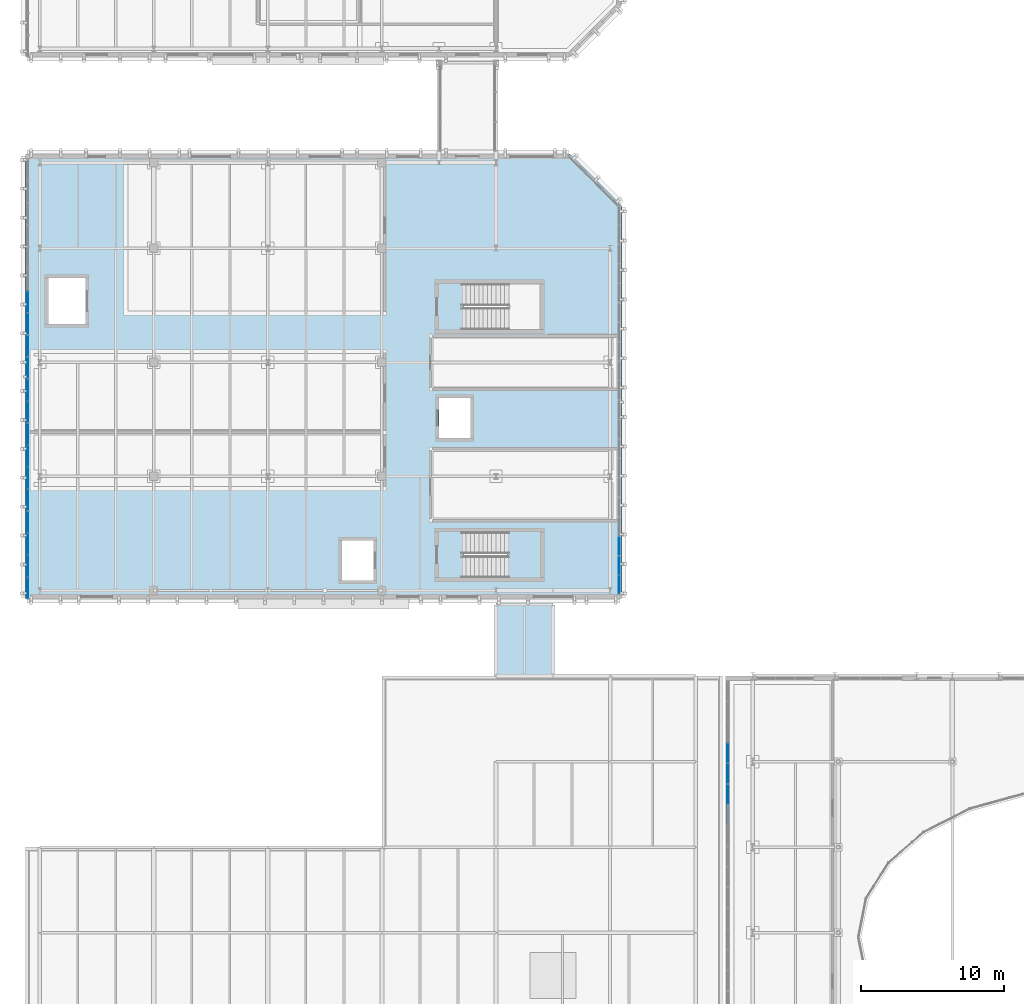
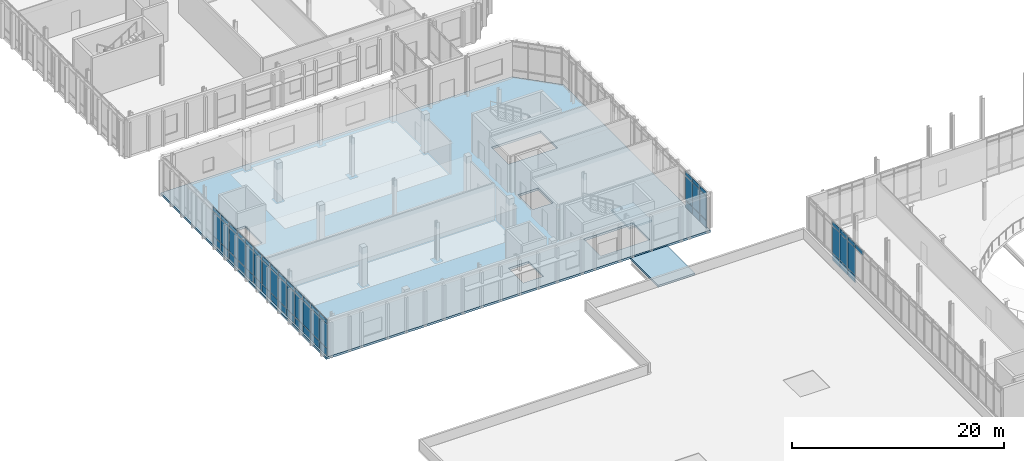
# One storey, part 45 of 86: 61 plates, 3 slabs, 8 elements without a shape of their own.
"""IFC4 building model written with IfcOpenShell, lengths in metres."""

from ifc_helpers import new_model, si_unit, direction, frame, origin, origin_2d, place, context, subcontext, project, spatial, polyline, rectangle, outline, extrude, material, layer, layer_set, type_object, element, aggregate, save


model = new_model("IFC4")

# Units and contexts
model_context = context("Model", 3, precision=1e-05, world=origin(), true_north=direction((0.0, 1.0)))
body_context = subcontext(model_context, "Body", "Model", "MODEL_VIEW")
ifc_project = project(units=[si_unit("LENGTHUNIT", "METRE"), si_unit("AREAUNIT", "SQUARE_METRE"), si_unit("VOLUMEUNIT", "CUBIC_METRE"), si_unit("PLANEANGLEUNIT", "RADIAN"), si_unit("MASSUNIT", "GRAM", prefix="KILO")], contexts=[model_context])

# Site, building, storey
site_placement = place(None, origin())
site = spatial("IfcSite", under=ifc_project, at=site_placement, CompositionType="ELEMENT")
building_placement = place(site_placement, origin())
building = spatial("IfcBuilding", under=site, at=building_placement, Name="Cymarion Research Institute", CompositionType="ELEMENT")
storey_placement = place(building_placement, frame((0.0, 0.0, 13.800048828125)))
storey = spatial("IfcBuildingStorey", under=building, at=storey_placement, Name="L03", CompositionType="ELEMENT", Elevation=13.800048828125)

# Slab
ifc_material_1 = material(Name="Concrete C35/45", Category="concrete")
ifc_layer_1 = layer(ifc_material_1, 0.25)
ifc_layer_set_1 = layer_set([ifc_layer_1], Name="Concrete C35/45")
slab_type_1 = type_object("IfcSlabType", Name="COMPOSITE FLOOR SLAB SL-FL250 250MM", PredefinedType="FLOOR", material=ifc_layer_set_1)
slab_1_placement = place(storey_placement, frame((0.0, 0.0, -0.25)))
element("IfcSlab", 1, at=slab_1_placement, inside=storey, type_object=slab_type_1, Name="L03 V4 floor slab", PredefinedType="FLOOR", context=body_context, shape_type="SweptSolid", body=[
    extrude(outline(polyline([(5.60009765625, 46.89990234375), (47.39990234375, 46.89990234375), (47.39990234375, 74.5), (43.800048828125, 78.10009765625), (5.60009765625, 78.10009765625), (5.60009765625, 46.89990234375)]), holes=[polyline([(36.340087890625, 48.39990234375), (41.699951171875, 48.39990234375), (41.699951171875, 51.60009765625), (36.340087890625, 51.60009765625), (36.340087890625, 48.39990234375)]), polyline([(27.800048828125, 48.199951171875), (30.0, 48.199951171875), (30.0, 51.0), (27.800048828125, 51.0), (27.800048828125, 48.199951171875)]), polyline([(36.340087890625, 65.800048828125), (41.699951171875, 65.800048828125), (41.699951171875, 69.0), (36.340087890625, 69.0), (36.340087890625, 65.800048828125)]), polyline([(34.60009765625, 58.199951171875), (36.800048828125, 58.199951171875), (36.800048828125, 61.0), (34.60009765625, 61.0), (34.60009765625, 58.199951171875)]), polyline([(7.199951171875, 66.199951171875), (9.800048828125, 66.199951171875), (9.800048828125, 69.39990234375), (7.199951171875, 69.39990234375), (7.199951171875, 66.199951171875)])]), origin(), (0.0, 0.0, 1.0), 0.25),
])

# Curtain wall, plates
ifc_material_2 = material(Name="Anodised aluminium unitised curtain wall with Low-E glazing", Category="aluminium")
curtain_wall_type_1 = type_object("IfcCurtainWallType", Name="UNITISED CURTAIN WALL CW34 7260X4620", PredefinedType="NOTDEFINED", material=ifc_material_2)
curtain_wall_1_placement = place(storey_placement, origin())
curtain_wall_1 = element("IfcCurtainWall", 2, at=curtain_wall_1_placement, inside=storey, type_object=curtain_wall_type_1, Name="L03 V2 unitised curtain wall CW34 #147", PredefinedType="NOTDEFINED")
ifc_material_3 = material(Name="Insulated anodised aluminium spandrel panel", Category="aluminium")
ifc_layer_2 = layer(ifc_material_3, 0.06005859375)
ifc_layer_set_2 = layer_set([ifc_layer_2], Name="Insulated anodised aluminium spandrel panel")
plate_type_1 = type_object("IfcPlateType", Name="INSULATED ALUMINIUM SPANDREL PANEL SP01 60MM", PredefinedType="SHEET", material=ifc_layer_set_2)
plate_1_placement = place(storey_placement, frame((54.860107421875, 36.100830078125, 0.059814453125), z_axis=(0.0, 0.0, 1.0), x_axis=(0.0, -1.0, 0.0)))
plate_1 = element("IfcPlate", 3, at=plate_1_placement, type_object=plate_type_1, Name="CW34 panel 4.1", PredefinedType="SHEET", context=body_context, shape_type="SweptSolid", body=[
    extrude(rectangle(XDim=1.39111328125, YDim=0.06005859375, at=origin_2d()), origin(), (0.0, 0.0, 1.0), 0.81005859375),
])
plate_2_placement = place(storey_placement, frame((54.860107421875, 36.100830078125, 4.099853515625), z_axis=(0.0, 0.0, 1.0), x_axis=(0.0, -1.0, 0.0)))
plate_2 = element("IfcPlate", 4, at=plate_2_placement, type_object=plate_type_1, Name="CW34 panel 4.3", PredefinedType="SHEET", context=body_context, shape_type="SweptSolid", body=[
    extrude(rectangle(XDim=1.39111328125, YDim=0.06005859375, at=origin_2d()), origin(), (0.0, 0.0, 1.0), 0.4599609375),
])
plate_3_placement = place(storey_placement, frame((54.860107421875, 34.66455078125, 0.059814453125), z_axis=(0.0, 0.0, 1.0), x_axis=(0.0, -1.0, 0.0)))
plate_3 = element("IfcPlate", 5, at=plate_3_placement, type_object=plate_type_1, Name="CW34 panel 5.1", PredefinedType="SHEET", context=body_context, shape_type="SweptSolid", body=[
    extrude(rectangle(XDim=1.361083984375, YDim=0.06005859375, at=origin_2d()), origin(), (0.0, 0.0, 1.0), 0.81005859375),
])
plate_4_placement = place(storey_placement, frame((54.860107421875, 34.66455078125, 4.099853515625), z_axis=(0.0, 0.0, 1.0), x_axis=(0.0, -1.0, 0.0)))
plate_4 = element("IfcPlate", 6, at=plate_4_placement, type_object=plate_type_1, Name="CW34 panel 5.3", PredefinedType="SHEET", context=body_context, shape_type="SweptSolid", body=[
    extrude(rectangle(XDim=1.361083984375, YDim=0.06005859375, at=origin_2d()), origin(), (0.0, 0.0, 1.0), 0.4599609375),
])

curtain_wall_2_placement = place(storey_placement, origin())
curtain_wall_2 = element("IfcCurtainWall", 7, at=curtain_wall_2_placement, inside=storey, type_object=curtain_wall_type_1, Name="L03 V2 unitised curtain wall CW34 #148", PredefinedType="NOTDEFINED")
plate_5_placement = place(storey_placement, frame((54.860107421875, 33.183349609375, 0.059814453125), z_axis=(0.0, 0.0, 1.0), x_axis=(0.0, -1.0, 0.0)))
plate_5 = element("IfcPlate", 8, at=plate_5_placement, type_object=plate_type_1, Name="CW34 panel 1.1", PredefinedType="SHEET", context=body_context, shape_type="SweptSolid", body=[
    extrude(rectangle(XDim=1.361083984375, YDim=0.06005859375, at=origin_2d()), origin(), (0.0, 0.0, 1.0), 0.81005859375),
])
plate_6_placement = place(storey_placement, frame((54.860107421875, 33.183349609375, 4.099853515625), z_axis=(0.0, 0.0, 1.0), x_axis=(0.0, -1.0, 0.0)))
plate_6 = element("IfcPlate", 9, at=plate_6_placement, type_object=plate_type_1, Name="CW34 panel 1.3", PredefinedType="SHEET", context=body_context, shape_type="SweptSolid", body=[
    extrude(rectangle(XDim=1.361083984375, YDim=0.06005859375, at=origin_2d()), origin(), (0.0, 0.0, 1.0), 0.4599609375),
])
plate_7_placement = place(storey_placement, frame((54.860107421875, 31.747314453125, 4.099853515625), z_axis=(0.0, 0.0, 1.0), x_axis=(0.0, -1.0, 0.0)))
plate_7 = element("IfcPlate", 10, at=plate_7_placement, type_object=plate_type_1, Name="CW34 panel 2.3", PredefinedType="SHEET", context=body_context, shape_type="SweptSolid", body=[
    extrude(rectangle(XDim=1.39111328125, YDim=0.06005859375, at=origin_2d()), origin(), (0.0, 0.0, 1.0), 0.4599609375),
])

curtain_wall_type_2 = type_object("IfcCurtainWallType", Name="UNITISED CURTAIN WALL CW20 6820X4250", PredefinedType="NOTDEFINED", material=ifc_material_2)
curtain_wall_3_placement = place(storey_placement, origin())
curtain_wall_3 = element("IfcCurtainWall", 11, at=curtain_wall_3_placement, inside=storey, type_object=curtain_wall_type_2, Name="L03 V4 unitised curtain wall CW20 #152", PredefinedType="NOTDEFINED")
plate_8_placement = place(storey_placement, frame((47.22998046875, 47.9189453125, 0.059814453125), z_axis=(0.0, 0.0, 1.0), x_axis=(0.0, 1.0, 0.0)))
plate_8 = element("IfcPlate", 12, at=plate_8_placement, type_object=plate_type_1, Name="CW20 panel 1.1", PredefinedType="SHEET", context=body_context, shape_type="SweptSolid", body=[
    extrude(rectangle(XDim=1.27392578125, YDim=0.06005859375, at=origin_2d()), origin(), (0.0, 0.0, 1.0), 0.81005859375),
])
plate_9_placement = place(storey_placement, frame((47.22998046875, 47.9189453125, 3.72998046875), z_axis=(0.0, 0.0, 1.0), x_axis=(0.0, 1.0, 0.0)))
plate_9 = element("IfcPlate", 13, at=plate_9_placement, type_object=plate_type_1, Name="CW20 panel 1.3", PredefinedType="SHEET", context=body_context, shape_type="SweptSolid", body=[
    extrude(rectangle(XDim=1.27392578125, YDim=0.06005859375, at=origin_2d()), origin(), (0.0, 0.0, 1.0), 0.4599609375),
])
plate_10_placement = place(storey_placement, frame((47.22998046875, 49.267822265625, 0.059814453125), z_axis=(0.0, 0.0, 1.0), x_axis=(0.0, 1.0, 0.0)))
plate_10 = element("IfcPlate", 14, at=plate_10_placement, type_object=plate_type_1, Name="CW20 panel 2.1", PredefinedType="SHEET", context=body_context, shape_type="SweptSolid", body=[
    extrude(rectangle(XDim=1.303955078125, YDim=0.06005859375, at=origin_2d()), origin(), (0.0, 0.0, 1.0), 0.81005859375),
])
plate_11_placement = place(storey_placement, frame((47.22998046875, 49.267822265625, 3.72998046875), z_axis=(0.0, 0.0, 1.0), x_axis=(0.0, 1.0, 0.0)))
plate_11 = element("IfcPlate", 15, at=plate_11_placement, type_object=plate_type_1, Name="CW20 panel 2.3", PredefinedType="SHEET", context=body_context, shape_type="SweptSolid", body=[
    extrude(rectangle(XDim=1.303955078125, YDim=0.06005859375, at=origin_2d()), origin(), (0.0, 0.0, 1.0), 0.4599609375),
])
plate_12_placement = place(storey_placement, frame((47.22998046875, 50.6318359375, 0.059814453125), z_axis=(0.0, 0.0, 1.0), x_axis=(0.0, 1.0, 0.0)))
plate_12 = element("IfcPlate", 16, at=plate_12_placement, type_object=plate_type_1, Name="CW20 panel 3.1", PredefinedType="SHEET", context=body_context, shape_type="SweptSolid", body=[
    extrude(rectangle(XDim=1.303955078125, YDim=0.06005859375, at=origin_2d()), origin(), (0.0, 0.0, 1.0), 0.81005859375),
])
plate_13_placement = place(storey_placement, frame((47.22998046875, 50.6318359375, 3.72998046875), z_axis=(0.0, 0.0, 1.0), x_axis=(0.0, 1.0, 0.0)))
plate_13 = element("IfcPlate", 17, at=plate_13_placement, type_object=plate_type_1, Name="CW20 panel 3.3", PredefinedType="SHEET", context=body_context, shape_type="SweptSolid", body=[
    extrude(rectangle(XDim=1.303955078125, YDim=0.06005859375, at=origin_2d()), origin(), (0.0, 0.0, 1.0), 0.4599609375),
])

curtain_wall_type_3 = type_object("IfcCurtainWallType", Name="UNITISED CURTAIN WALL CW22 6180X4250", PredefinedType="NOTDEFINED", material=ifc_material_2)
curtain_wall_4_placement = place(storey_placement, origin())
curtain_wall_4 = element("IfcCurtainWall", 18, at=curtain_wall_4_placement, inside=storey, type_object=curtain_wall_type_3, Name="L03 V4 unitised curtain wall CW22 #158", PredefinedType="NOTDEFINED")
plate_14_placement = place(storey_placement, frame((5.77001953125, 67.74267578125, 0.059814453125), z_axis=(0.0, 0.0, 1.0), x_axis=(0.0, -1.0, 0.0)))
plate_14 = element("IfcPlate", 19, at=plate_14_placement, type_object=plate_type_1, Name="CW22 panel 3.1", PredefinedType="SHEET", context=body_context, shape_type="SweptSolid", body=[
    extrude(rectangle(XDim=1.48388671875, YDim=0.06005859375, at=origin_2d()), origin(), (0.0, 0.0, 1.0), 0.81005859375),
])
plate_15_placement = place(storey_placement, frame((5.77001953125, 67.74267578125, 3.72998046875), z_axis=(0.0, 0.0, 1.0), x_axis=(0.0, -1.0, 0.0)))
plate_15 = element("IfcPlate", 20, at=plate_15_placement, type_object=plate_type_1, Name="CW22 panel 3.3", PredefinedType="SHEET", context=body_context, shape_type="SweptSolid", body=[
    extrude(rectangle(XDim=1.48388671875, YDim=0.06005859375, at=origin_2d()), origin(), (0.0, 0.0, 1.0), 0.4599609375),
])
plate_16_placement = place(storey_placement, frame((5.77001953125, 66.2138671875, 0.059814453125), z_axis=(0.0, 0.0, 1.0), x_axis=(0.0, -1.0, 0.0)))
plate_16 = element("IfcPlate", 21, at=plate_16_placement, type_object=plate_type_1, Name="CW22 panel 4.1", PredefinedType="SHEET", context=body_context, shape_type="SweptSolid", body=[
    extrude(rectangle(XDim=1.453857421875, YDim=0.06005859375, at=origin_2d()), origin(), (0.0, 0.0, 1.0), 0.81005859375),
])
plate_17_placement = place(storey_placement, frame((5.77001953125, 66.2138671875, 3.72998046875), z_axis=(0.0, 0.0, 1.0), x_axis=(0.0, -1.0, 0.0)))
plate_17 = element("IfcPlate", 22, at=plate_17_placement, type_object=plate_type_1, Name="CW22 panel 4.3", PredefinedType="SHEET", context=body_context, shape_type="SweptSolid", body=[
    extrude(rectangle(XDim=1.453857421875, YDim=0.06005859375, at=origin_2d()), origin(), (0.0, 0.0, 1.0), 0.4599609375),
])

curtain_wall_5_placement = place(storey_placement, origin())
curtain_wall_5 = element("IfcCurtainWall", 23, at=curtain_wall_5_placement, inside=storey, type_object=curtain_wall_type_3, Name="L03 V4 unitised curtain wall CW22 #159", PredefinedType="NOTDEFINED")
plate_18_placement = place(storey_placement, frame((5.77001953125, 64.639892578125, 0.059814453125), z_axis=(0.0, 0.0, 1.0), x_axis=(0.0, -1.0, 0.0)))
plate_18 = element("IfcPlate", 24, at=plate_18_placement, type_object=plate_type_1, Name="CW22 panel 1.1", PredefinedType="SHEET", context=body_context, shape_type="SweptSolid", body=[
    extrude(rectangle(XDim=1.453857421875, YDim=0.06005859375, at=origin_2d()), origin(), (0.0, 0.0, 1.0), 0.81005859375),
])
plate_19_placement = place(storey_placement, frame((5.77001953125, 64.639892578125, 3.72998046875), z_axis=(0.0, 0.0, 1.0), x_axis=(0.0, -1.0, 0.0)))
plate_19 = element("IfcPlate", 25, at=plate_19_placement, type_object=plate_type_1, Name="CW22 panel 1.3", PredefinedType="SHEET", context=body_context, shape_type="SweptSolid", body=[
    extrude(rectangle(XDim=1.453857421875, YDim=0.06005859375, at=origin_2d()), origin(), (0.0, 0.0, 1.0), 0.4599609375),
])
plate_20_placement = place(storey_placement, frame((5.77001953125, 63.11083984375, 0.059814453125), z_axis=(0.0, 0.0, 1.0), x_axis=(0.0, -1.0, 0.0)))
plate_20 = element("IfcPlate", 26, at=plate_20_placement, type_object=plate_type_1, Name="CW22 panel 2.1", PredefinedType="SHEET", context=body_context, shape_type="SweptSolid", body=[
    extrude(rectangle(XDim=1.48388671875, YDim=0.06005859375, at=origin_2d()), origin(), (0.0, 0.0, 1.0), 0.81005859375),
])
plate_21_placement = place(storey_placement, frame((5.77001953125, 63.11083984375, 3.72998046875), z_axis=(0.0, 0.0, 1.0), x_axis=(0.0, -1.0, 0.0)))
plate_21 = element("IfcPlate", 27, at=plate_21_placement, type_object=plate_type_1, Name="CW22 panel 2.3", PredefinedType="SHEET", context=body_context, shape_type="SweptSolid", body=[
    extrude(rectangle(XDim=1.48388671875, YDim=0.06005859375, at=origin_2d()), origin(), (0.0, 0.0, 1.0), 0.4599609375),
])
plate_22_placement = place(storey_placement, frame((5.77001953125, 61.567138671875, 0.059814453125), z_axis=(0.0, 0.0, 1.0), x_axis=(0.0, -1.0, 0.0)))
plate_22 = element("IfcPlate", 28, at=plate_22_placement, type_object=plate_type_1, Name="CW22 panel 3.1", PredefinedType="SHEET", context=body_context, shape_type="SweptSolid", body=[
    extrude(rectangle(XDim=1.48388671875, YDim=0.06005859375, at=origin_2d()), origin(), (0.0, 0.0, 1.0), 0.81005859375),
])
plate_23_placement = place(storey_placement, frame((5.77001953125, 61.567138671875, 3.72998046875), z_axis=(0.0, 0.0, 1.0), x_axis=(0.0, -1.0, 0.0)))
plate_23 = element("IfcPlate", 29, at=plate_23_placement, type_object=plate_type_1, Name="CW22 panel 3.3", PredefinedType="SHEET", context=body_context, shape_type="SweptSolid", body=[
    extrude(rectangle(XDim=1.48388671875, YDim=0.06005859375, at=origin_2d()), origin(), (0.0, 0.0, 1.0), 0.4599609375),
])
plate_24_placement = place(storey_placement, frame((5.77001953125, 60.0380859375, 0.059814453125), z_axis=(0.0, 0.0, 1.0), x_axis=(0.0, -1.0, 0.0)))
plate_24 = element("IfcPlate", 30, at=plate_24_placement, type_object=plate_type_1, Name="CW22 panel 4.1", PredefinedType="SHEET", context=body_context, shape_type="SweptSolid", body=[
    extrude(rectangle(XDim=1.453857421875, YDim=0.06005859375, at=origin_2d()), origin(), (0.0, 0.0, 1.0), 0.81005859375),
])
plate_25_placement = place(storey_placement, frame((5.77001953125, 60.0380859375, 3.72998046875), z_axis=(0.0, 0.0, 1.0), x_axis=(0.0, -1.0, 0.0)))
plate_25 = element("IfcPlate", 31, at=plate_25_placement, type_object=plate_type_1, Name="CW22 panel 4.3", PredefinedType="SHEET", context=body_context, shape_type="SweptSolid", body=[
    extrude(rectangle(XDim=1.453857421875, YDim=0.06005859375, at=origin_2d()), origin(), (0.0, 0.0, 1.0), 0.4599609375),
])

curtain_wall_6_placement = place(storey_placement, origin())
curtain_wall_6 = element("IfcCurtainWall", 32, at=curtain_wall_6_placement, inside=storey, type_object=curtain_wall_type_3, Name="L03 V4 unitised curtain wall CW22 #160", PredefinedType="NOTDEFINED")
plate_26_placement = place(storey_placement, frame((5.77001953125, 58.46435546875, 0.059814453125), z_axis=(0.0, 0.0, 1.0), x_axis=(0.0, -1.0, 0.0)))
plate_26 = element("IfcPlate", 33, at=plate_26_placement, type_object=plate_type_1, Name="CW22 panel 1.1", PredefinedType="SHEET", context=body_context, shape_type="SweptSolid", body=[
    extrude(rectangle(XDim=1.453857421875, YDim=0.06005859375, at=origin_2d()), origin(), (0.0, 0.0, 1.0), 0.81005859375),
])
plate_27_placement = place(storey_placement, frame((5.77001953125, 58.46435546875, 3.72998046875), z_axis=(0.0, 0.0, 1.0), x_axis=(0.0, -1.0, 0.0)))
plate_27 = element("IfcPlate", 34, at=plate_27_placement, type_object=plate_type_1, Name="CW22 panel 1.3", PredefinedType="SHEET", context=body_context, shape_type="SweptSolid", body=[
    extrude(rectangle(XDim=1.453857421875, YDim=0.06005859375, at=origin_2d()), origin(), (0.0, 0.0, 1.0), 0.4599609375),
])
plate_28_placement = place(storey_placement, frame((5.77001953125, 56.935302734375, 0.059814453125), z_axis=(0.0, 0.0, 1.0), x_axis=(0.0, -1.0, 0.0)))
plate_28 = element("IfcPlate", 35, at=plate_28_placement, type_object=plate_type_1, Name="CW22 panel 2.1", PredefinedType="SHEET", context=body_context, shape_type="SweptSolid", body=[
    extrude(rectangle(XDim=1.48388671875, YDim=0.06005859375, at=origin_2d()), origin(), (0.0, 0.0, 1.0), 0.81005859375),
])
plate_29_placement = place(storey_placement, frame((5.77001953125, 56.935302734375, 3.72998046875), z_axis=(0.0, 0.0, 1.0), x_axis=(0.0, -1.0, 0.0)))
plate_29 = element("IfcPlate", 36, at=plate_29_placement, type_object=plate_type_1, Name="CW22 panel 2.3", PredefinedType="SHEET", context=body_context, shape_type="SweptSolid", body=[
    extrude(rectangle(XDim=1.48388671875, YDim=0.06005859375, at=origin_2d()), origin(), (0.0, 0.0, 1.0), 0.4599609375),
])
plate_30_placement = place(storey_placement, frame((5.77001953125, 55.391357421875, 0.059814453125), z_axis=(0.0, 0.0, 1.0), x_axis=(0.0, -1.0, 0.0)))
plate_30 = element("IfcPlate", 37, at=plate_30_placement, type_object=plate_type_1, Name="CW22 panel 3.1", PredefinedType="SHEET", context=body_context, shape_type="SweptSolid", body=[
    extrude(rectangle(XDim=1.48388671875, YDim=0.06005859375, at=origin_2d()), origin(), (0.0, 0.0, 1.0), 0.81005859375),
])
plate_31_placement = place(storey_placement, frame((5.77001953125, 55.391357421875, 3.72998046875), z_axis=(0.0, 0.0, 1.0), x_axis=(0.0, -1.0, 0.0)))
plate_31 = element("IfcPlate", 38, at=plate_31_placement, type_object=plate_type_1, Name="CW22 panel 3.3", PredefinedType="SHEET", context=body_context, shape_type="SweptSolid", body=[
    extrude(rectangle(XDim=1.48388671875, YDim=0.06005859375, at=origin_2d()), origin(), (0.0, 0.0, 1.0), 0.4599609375),
])
plate_32_placement = place(storey_placement, frame((5.77001953125, 53.862548828125, 0.059814453125), z_axis=(0.0, 0.0, 1.0), x_axis=(0.0, -1.0, 0.0)))
plate_32 = element("IfcPlate", 39, at=plate_32_placement, type_object=plate_type_1, Name="CW22 panel 4.1", PredefinedType="SHEET", context=body_context, shape_type="SweptSolid", body=[
    extrude(rectangle(XDim=1.453857421875, YDim=0.06005859375, at=origin_2d()), origin(), (0.0, 0.0, 1.0), 0.81005859375),
])
plate_33_placement = place(storey_placement, frame((5.77001953125, 53.862548828125, 3.72998046875), z_axis=(0.0, 0.0, 1.0), x_axis=(0.0, -1.0, 0.0)))
plate_33 = element("IfcPlate", 40, at=plate_33_placement, type_object=plate_type_1, Name="CW22 panel 4.3", PredefinedType="SHEET", context=body_context, shape_type="SweptSolid", body=[
    extrude(rectangle(XDim=1.453857421875, YDim=0.06005859375, at=origin_2d()), origin(), (0.0, 0.0, 1.0), 0.4599609375),
])

curtain_wall_7_placement = place(storey_placement, origin())
curtain_wall_7 = element("IfcCurtainWall", 41, at=curtain_wall_7_placement, inside=storey, type_object=curtain_wall_type_3, Name="L03 V4 unitised curtain wall CW22 #161", PredefinedType="NOTDEFINED")
plate_34_placement = place(storey_placement, frame((5.77001953125, 52.28857421875, 0.059814453125), z_axis=(0.0, 0.0, 1.0), x_axis=(0.0, -1.0, 0.0)))
plate_34 = element("IfcPlate", 42, at=plate_34_placement, type_object=plate_type_1, Name="CW22 panel 1.1", PredefinedType="SHEET", context=body_context, shape_type="SweptSolid", body=[
    extrude(rectangle(XDim=1.453857421875, YDim=0.06005859375, at=origin_2d()), origin(), (0.0, 0.0, 1.0), 0.81005859375),
])
plate_35_placement = place(storey_placement, frame((5.77001953125, 52.28857421875, 3.72998046875), z_axis=(0.0, 0.0, 1.0), x_axis=(0.0, -1.0, 0.0)))
plate_35 = element("IfcPlate", 43, at=plate_35_placement, type_object=plate_type_1, Name="CW22 panel 1.3", PredefinedType="SHEET", context=body_context, shape_type="SweptSolid", body=[
    extrude(rectangle(XDim=1.453857421875, YDim=0.06005859375, at=origin_2d()), origin(), (0.0, 0.0, 1.0), 0.4599609375),
])
plate_36_placement = place(storey_placement, frame((5.77001953125, 50.759765625, 0.059814453125), z_axis=(0.0, 0.0, 1.0), x_axis=(0.0, -1.0, 0.0)))
plate_36 = element("IfcPlate", 44, at=plate_36_placement, type_object=plate_type_1, Name="CW22 panel 2.1", PredefinedType="SHEET", context=body_context, shape_type="SweptSolid", body=[
    extrude(rectangle(XDim=1.48388671875, YDim=0.06005859375, at=origin_2d()), origin(), (0.0, 0.0, 1.0), 0.81005859375),
])
plate_37_placement = place(storey_placement, frame((5.77001953125, 50.759765625, 3.72998046875), z_axis=(0.0, 0.0, 1.0), x_axis=(0.0, -1.0, 0.0)))
plate_37 = element("IfcPlate", 45, at=plate_37_placement, type_object=plate_type_1, Name="CW22 panel 2.3", PredefinedType="SHEET", context=body_context, shape_type="SweptSolid", body=[
    extrude(rectangle(XDim=1.48388671875, YDim=0.06005859375, at=origin_2d()), origin(), (0.0, 0.0, 1.0), 0.4599609375),
])
plate_38_placement = place(storey_placement, frame((5.77001953125, 49.2158203125, 0.059814453125), z_axis=(0.0, 0.0, 1.0), x_axis=(0.0, -1.0, 0.0)))
plate_38 = element("IfcPlate", 46, at=plate_38_placement, type_object=plate_type_1, Name="CW22 panel 3.1", PredefinedType="SHEET", context=body_context, shape_type="SweptSolid", body=[
    extrude(rectangle(XDim=1.48388671875, YDim=0.06005859375, at=origin_2d()), origin(), (0.0, 0.0, 1.0), 0.81005859375),
])
plate_39_placement = place(storey_placement, frame((5.77001953125, 49.2158203125, 3.72998046875), z_axis=(0.0, 0.0, 1.0), x_axis=(0.0, -1.0, 0.0)))
plate_39 = element("IfcPlate", 47, at=plate_39_placement, type_object=plate_type_1, Name="CW22 panel 3.3", PredefinedType="SHEET", context=body_context, shape_type="SweptSolid", body=[
    extrude(rectangle(XDim=1.48388671875, YDim=0.06005859375, at=origin_2d()), origin(), (0.0, 0.0, 1.0), 0.4599609375),
])
plate_40_placement = place(storey_placement, frame((5.77001953125, 47.68701171875, 0.059814453125), z_axis=(0.0, 0.0, 1.0), x_axis=(0.0, -1.0, 0.0)))
plate_40 = element("IfcPlate", 48, at=plate_40_placement, type_object=plate_type_1, Name="CW22 panel 4.1", PredefinedType="SHEET", context=body_context, shape_type="SweptSolid", body=[
    extrude(rectangle(XDim=1.453857421875, YDim=0.06005859375, at=origin_2d()), origin(), (0.0, 0.0, 1.0), 0.81005859375),
])
plate_41_placement = place(storey_placement, frame((5.77001953125, 47.68701171875, 3.72998046875), z_axis=(0.0, 0.0, 1.0), x_axis=(0.0, -1.0, 0.0)))
plate_41 = element("IfcPlate", 49, at=plate_41_placement, type_object=plate_type_1, Name="CW22 panel 4.3", PredefinedType="SHEET", context=body_context, shape_type="SweptSolid", body=[
    extrude(rectangle(XDim=1.453857421875, YDim=0.06005859375, at=origin_2d()), origin(), (0.0, 0.0, 1.0), 0.4599609375),
])

# Stair, slab
stair_type = type_object("IfcStairType", Name="REINFORCED CONCRETE DOGLEG STAIR STR-4500", PredefinedType="HALF_TURN_STAIR", material=ifc_material_1)
stair_placement = place(storey_placement, origin())
stair = element("IfcStair", 50, at=stair_placement, inside=storey, type_object=stair_type, Name="L03 Core C7 Smoke-Proof Exit Stair ST7", PredefinedType="HALF_TURN_STAIR")
ifc_layer_3 = layer(ifc_material_1, 0.199951171875)
ifc_layer_set_3 = layer_set([ifc_layer_3], Name="Concrete C35/45")
slab_type_2 = type_object("IfcSlabType", Name="REINFORCED CONCRETE STAIR LANDING LDG200", PredefinedType="LANDING", material=ifc_layer_set_3)
slab_2_placement = place(storey_placement, frame((0.0, 0.0, 2.050048828125)))
slab_2 = element("IfcSlab", 51, at=slab_2_placement, type_object=slab_type_2, Name="ST7 landing 1", PredefinedType="LANDING", context=body_context, shape_type="SweptSolid", body=[
    extrude(outline(polyline([(39.3798828125, 48.280029296875), (39.3798828125, 51.719970703125), (41.820068359375, 51.719970703125), (41.820068359375, 48.280029296875), (39.3798828125, 48.280029296875)])), origin(), (0.0, 0.0, 1.0), 0.199951171875),
])
aggregate(stair, [slab_2])

# Slab
ifc_layer_4 = layer(ifc_material_1, 0.239990234375)
ifc_layer_set_4 = layer_set([ifc_layer_4], Name="Concrete C35/45")
slab_type_3 = type_object("IfcSlabType", Name="ROOF SLAB SL-RF240 240MM", PredefinedType="ROOF", material=ifc_layer_set_4)
slab_3_placement = place(storey_placement, frame((0.0, 0.0, -0.239990234375)))
element("IfcSlab", 52, at=slab_3_placement, inside=storey, type_object=slab_type_3, Name="L03 insulated flat roof deck ROOF-L03-SP1", PredefinedType="ROOF", context=body_context, shape_type="SweptSolid", body=[
    extrude(outline(polyline([(38.60009765625, 41.5), (42.60009765625, 41.5), (42.60009765625, 46.699951171875), (38.60009765625, 46.699951171875), (38.60009765625, 41.5)])), origin(), (0.0, 0.0, 1.0), 0.239990234375),
])

# Plate
ifc_material_4 = material(Name="Low-E double solar-control glazing", Category="glass")
ifc_layer_5 = layer(ifc_material_4, 0.035888671875)
ifc_layer_set_5 = layer_set([ifc_layer_5], Name="Low-E double solar-control glazing")
plate_type_2 = type_object("IfcPlateType", Name="SOLAR CONTROL GLAZED VISION PANEL GP01 36MM", PredefinedType="CURTAIN_PANEL", material=ifc_layer_set_5)
plate_42_placement = place(storey_placement, frame((54.860107421875, 36.100830078125, 0.9296875), z_axis=(0.0, 0.0, 1.0), x_axis=(0.0, -1.0, 0.0)))
plate_42 = element("IfcPlate", 53, at=plate_42_placement, type_object=plate_type_2, Name="CW34 panel 4.2", PredefinedType="CURTAIN_PANEL", context=body_context, shape_type="SweptSolid", body=[
    extrude(rectangle(XDim=1.39111328125, YDim=0.035888671875, at=origin_2d()), origin(), (0.0, 0.0, 1.0), 3.110107421875),
])

plate_43_placement = place(storey_placement, frame((54.860107421875, 34.66455078125, 0.9296875), z_axis=(0.0, 0.0, 1.0), x_axis=(0.0, -1.0, 0.0)))
plate_43 = element("IfcPlate", 54, at=plate_43_placement, type_object=plate_type_2, Name="CW34 panel 5.2", PredefinedType="CURTAIN_PANEL", context=body_context, shape_type="SweptSolid", body=[
    extrude(rectangle(XDim=1.361083984375, YDim=0.035888671875, at=origin_2d()), origin(), (0.0, 0.0, 1.0), 3.110107421875),
])

aggregate(curtain_wall_1, [plate_1, plate_42, plate_2, plate_3, plate_43, plate_4])

plate_44_placement = place(storey_placement, frame((54.860107421875, 33.183349609375, 0.9296875), z_axis=(0.0, 0.0, 1.0), x_axis=(0.0, -1.0, 0.0)))
plate_44 = element("IfcPlate", 55, at=plate_44_placement, type_object=plate_type_2, Name="CW34 panel 1.2", PredefinedType="CURTAIN_PANEL", context=body_context, shape_type="SweptSolid", body=[
    extrude(rectangle(XDim=1.361083984375, YDim=0.035888671875, at=origin_2d()), origin(), (0.0, 0.0, 1.0), 3.110107421875),
])

aggregate(curtain_wall_2, [plate_5, plate_44, plate_6, plate_7])

plate_45_placement = place(storey_placement, frame((47.22998046875, 47.9189453125, 0.93017578125), z_axis=(0.0, 0.0, 1.0), x_axis=(0.0, 1.0, 0.0)))
plate_45 = element("IfcPlate", 56, at=plate_45_placement, type_object=plate_type_2, Name="CW20 panel 1.2", PredefinedType="CURTAIN_PANEL", context=body_context, shape_type="SweptSolid", body=[
    extrude(rectangle(XDim=1.27392578125, YDim=0.035888671875, at=origin_2d()), origin(), (0.0, 0.0, 1.0), 2.739990234375),
])

plate_46_placement = place(storey_placement, frame((47.22998046875, 49.267822265625, 0.93017578125), z_axis=(0.0, 0.0, 1.0), x_axis=(0.0, 1.0, 0.0)))
plate_46 = element("IfcPlate", 57, at=plate_46_placement, type_object=plate_type_2, Name="CW20 panel 2.2", PredefinedType="CURTAIN_PANEL", context=body_context, shape_type="SweptSolid", body=[
    extrude(rectangle(XDim=1.303955078125, YDim=0.035888671875, at=origin_2d()), origin(), (0.0, 0.0, 1.0), 2.739990234375),
])

plate_47_placement = place(storey_placement, frame((47.22998046875, 50.6318359375, 0.93017578125), z_axis=(0.0, 0.0, 1.0), x_axis=(0.0, 1.0, 0.0)))
plate_47 = element("IfcPlate", 58, at=plate_47_placement, type_object=plate_type_2, Name="CW20 panel 3.2", PredefinedType="CURTAIN_PANEL", context=body_context, shape_type="SweptSolid", body=[
    extrude(rectangle(XDim=1.303955078125, YDim=0.035888671875, at=origin_2d()), origin(), (0.0, 0.0, 1.0), 2.739990234375),
])

aggregate(curtain_wall_3, [plate_8, plate_45, plate_9, plate_10, plate_46, plate_11, plate_12, plate_47, plate_13])

plate_48_placement = place(storey_placement, frame((5.77001953125, 67.74267578125, 0.93017578125), z_axis=(0.0, 0.0, 1.0), x_axis=(0.0, -1.0, 0.0)))
plate_48 = element("IfcPlate", 59, at=plate_48_placement, type_object=plate_type_2, Name="CW22 panel 3.2", PredefinedType="CURTAIN_PANEL", context=body_context, shape_type="SweptSolid", body=[
    extrude(rectangle(XDim=1.48388671875, YDim=0.035888671875, at=origin_2d()), origin(), (0.0, 0.0, 1.0), 2.739990234375),
])

plate_49_placement = place(storey_placement, frame((5.77001953125, 66.2138671875, 0.93017578125), z_axis=(0.0, 0.0, 1.0), x_axis=(0.0, -1.0, 0.0)))
plate_49 = element("IfcPlate", 60, at=plate_49_placement, type_object=plate_type_2, Name="CW22 panel 4.2", PredefinedType="CURTAIN_PANEL", context=body_context, shape_type="SweptSolid", body=[
    extrude(rectangle(XDim=1.453857421875, YDim=0.035888671875, at=origin_2d()), origin(), (0.0, 0.0, 1.0), 2.739990234375),
])

aggregate(curtain_wall_4, [plate_14, plate_48, plate_15, plate_16, plate_49, plate_17])

plate_50_placement = place(storey_placement, frame((5.77001953125, 64.639892578125, 0.93017578125), z_axis=(0.0, 0.0, 1.0), x_axis=(0.0, -1.0, 0.0)))
plate_50 = element("IfcPlate", 61, at=plate_50_placement, type_object=plate_type_2, Name="CW22 panel 1.2", PredefinedType="CURTAIN_PANEL", context=body_context, shape_type="SweptSolid", body=[
    extrude(rectangle(XDim=1.453857421875, YDim=0.035888671875, at=origin_2d()), origin(), (0.0, 0.0, 1.0), 2.739990234375),
])

plate_51_placement = place(storey_placement, frame((5.77001953125, 63.11083984375, 0.93017578125), z_axis=(0.0, 0.0, 1.0), x_axis=(0.0, -1.0, 0.0)))
plate_51 = element("IfcPlate", 62, at=plate_51_placement, type_object=plate_type_2, Name="CW22 panel 2.2", PredefinedType="CURTAIN_PANEL", context=body_context, shape_type="SweptSolid", body=[
    extrude(rectangle(XDim=1.48388671875, YDim=0.035888671875, at=origin_2d()), origin(), (0.0, 0.0, 1.0), 2.739990234375),
])

plate_52_placement = place(storey_placement, frame((5.77001953125, 61.567138671875, 0.93017578125), z_axis=(0.0, 0.0, 1.0), x_axis=(0.0, -1.0, 0.0)))
plate_52 = element("IfcPlate", 63, at=plate_52_placement, type_object=plate_type_2, Name="CW22 panel 3.2", PredefinedType="CURTAIN_PANEL", context=body_context, shape_type="SweptSolid", body=[
    extrude(rectangle(XDim=1.48388671875, YDim=0.035888671875, at=origin_2d()), origin(), (0.0, 0.0, 1.0), 2.739990234375),
])

plate_53_placement = place(storey_placement, frame((5.77001953125, 60.0380859375, 0.93017578125), z_axis=(0.0, 0.0, 1.0), x_axis=(0.0, -1.0, 0.0)))
plate_53 = element("IfcPlate", 64, at=plate_53_placement, type_object=plate_type_2, Name="CW22 panel 4.2", PredefinedType="CURTAIN_PANEL", context=body_context, shape_type="SweptSolid", body=[
    extrude(rectangle(XDim=1.453857421875, YDim=0.035888671875, at=origin_2d()), origin(), (0.0, 0.0, 1.0), 2.739990234375),
])

aggregate(curtain_wall_5, [plate_18, plate_50, plate_19, plate_20, plate_51, plate_21, plate_22, plate_52, plate_23, plate_24, plate_53, plate_25])

plate_54_placement = place(storey_placement, frame((5.77001953125, 58.46435546875, 0.93017578125), z_axis=(0.0, 0.0, 1.0), x_axis=(0.0, -1.0, 0.0)))
plate_54 = element("IfcPlate", 65, at=plate_54_placement, type_object=plate_type_2, Name="CW22 panel 1.2", PredefinedType="CURTAIN_PANEL", context=body_context, shape_type="SweptSolid", body=[
    extrude(rectangle(XDim=1.453857421875, YDim=0.035888671875, at=origin_2d()), origin(), (0.0, 0.0, 1.0), 2.739990234375),
])

plate_55_placement = place(storey_placement, frame((5.77001953125, 56.935302734375, 0.93017578125), z_axis=(0.0, 0.0, 1.0), x_axis=(0.0, -1.0, 0.0)))
plate_55 = element("IfcPlate", 66, at=plate_55_placement, type_object=plate_type_2, Name="CW22 panel 2.2", PredefinedType="CURTAIN_PANEL", context=body_context, shape_type="SweptSolid", body=[
    extrude(rectangle(XDim=1.48388671875, YDim=0.035888671875, at=origin_2d()), origin(), (0.0, 0.0, 1.0), 2.739990234375),
])

plate_56_placement = place(storey_placement, frame((5.77001953125, 55.391357421875, 0.93017578125), z_axis=(0.0, 0.0, 1.0), x_axis=(0.0, -1.0, 0.0)))
plate_56 = element("IfcPlate", 67, at=plate_56_placement, type_object=plate_type_2, Name="CW22 panel 3.2", PredefinedType="CURTAIN_PANEL", context=body_context, shape_type="SweptSolid", body=[
    extrude(rectangle(XDim=1.48388671875, YDim=0.035888671875, at=origin_2d()), origin(), (0.0, 0.0, 1.0), 2.739990234375),
])

plate_57_placement = place(storey_placement, frame((5.77001953125, 53.862548828125, 0.93017578125), z_axis=(0.0, 0.0, 1.0), x_axis=(0.0, -1.0, 0.0)))
plate_57 = element("IfcPlate", 68, at=plate_57_placement, type_object=plate_type_2, Name="CW22 panel 4.2", PredefinedType="CURTAIN_PANEL", context=body_context, shape_type="SweptSolid", body=[
    extrude(rectangle(XDim=1.453857421875, YDim=0.035888671875, at=origin_2d()), origin(), (0.0, 0.0, 1.0), 2.739990234375),
])

aggregate(curtain_wall_6, [plate_26, plate_54, plate_27, plate_28, plate_55, plate_29, plate_30, plate_56, plate_31, plate_32, plate_57, plate_33])

plate_58_placement = place(storey_placement, frame((5.77001953125, 52.28857421875, 0.93017578125), z_axis=(0.0, 0.0, 1.0), x_axis=(0.0, -1.0, 0.0)))
plate_58 = element("IfcPlate", 69, at=plate_58_placement, type_object=plate_type_2, Name="CW22 panel 1.2", PredefinedType="CURTAIN_PANEL", context=body_context, shape_type="SweptSolid", body=[
    extrude(rectangle(XDim=1.453857421875, YDim=0.035888671875, at=origin_2d()), origin(), (0.0, 0.0, 1.0), 2.739990234375),
])

plate_59_placement = place(storey_placement, frame((5.77001953125, 50.759765625, 0.93017578125), z_axis=(0.0, 0.0, 1.0), x_axis=(0.0, -1.0, 0.0)))
plate_59 = element("IfcPlate", 70, at=plate_59_placement, type_object=plate_type_2, Name="CW22 panel 2.2", PredefinedType="CURTAIN_PANEL", context=body_context, shape_type="SweptSolid", body=[
    extrude(rectangle(XDim=1.48388671875, YDim=0.035888671875, at=origin_2d()), origin(), (0.0, 0.0, 1.0), 2.739990234375),
])

plate_60_placement = place(storey_placement, frame((5.77001953125, 49.2158203125, 0.93017578125), z_axis=(0.0, 0.0, 1.0), x_axis=(0.0, -1.0, 0.0)))
plate_60 = element("IfcPlate", 71, at=plate_60_placement, type_object=plate_type_2, Name="CW22 panel 3.2", PredefinedType="CURTAIN_PANEL", context=body_context, shape_type="SweptSolid", body=[
    extrude(rectangle(XDim=1.48388671875, YDim=0.035888671875, at=origin_2d()), origin(), (0.0, 0.0, 1.0), 2.739990234375),
])

plate_61_placement = place(storey_placement, frame((5.77001953125, 47.68701171875, 0.93017578125), z_axis=(0.0, 0.0, 1.0), x_axis=(0.0, -1.0, 0.0)))
plate_61 = element("IfcPlate", 72, at=plate_61_placement, type_object=plate_type_2, Name="CW22 panel 4.2", PredefinedType="CURTAIN_PANEL", context=body_context, shape_type="SweptSolid", body=[
    extrude(rectangle(XDim=1.453857421875, YDim=0.035888671875, at=origin_2d()), origin(), (0.0, 0.0, 1.0), 2.739990234375),
])

aggregate(curtain_wall_7, [plate_34, plate_58, plate_35, plate_36, plate_59, plate_37, plate_38, plate_60, plate_39, plate_40, plate_61, plate_41])

save(model, "model.ifc")
